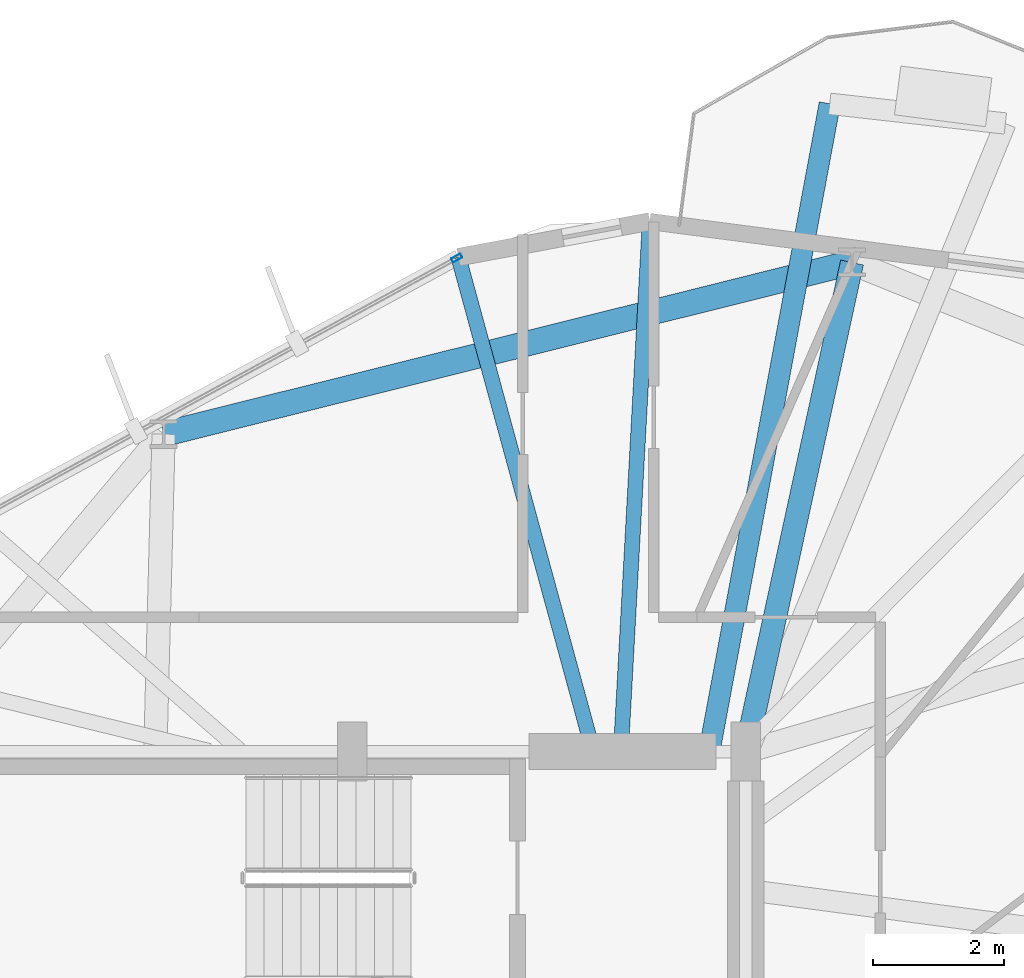
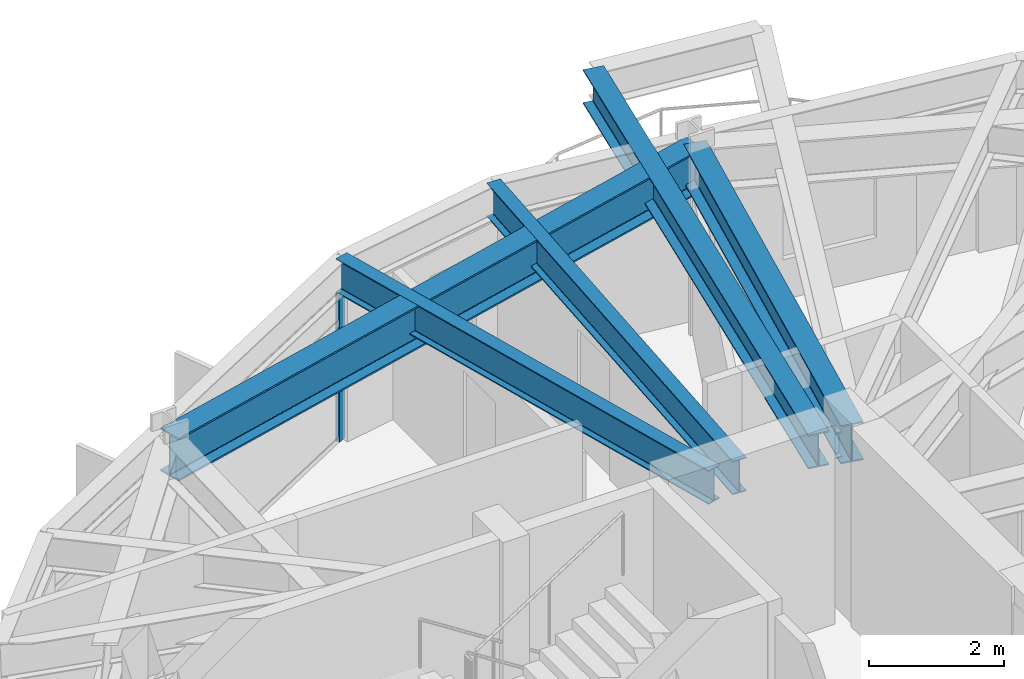
# One storey, part 14 of 23: 5 beams, 1 member, 1 element without a shape of its own.
"""IFC4 building model written with IfcOpenShell, lengths in metres."""

from ifc_helpers import new_model, si_unit, direction, frame, origin, origin_2d, place, context, subcontext, project, spatial, hollow_rectangle, i_section, extrude, material, layer, layer_set, material_profile, profile_set, type_object, element, aggregate, save


model = new_model("IFC4")

# Units and contexts
model_context = context("Model", 3, precision=1e-05, world=origin(), true_north=direction((0.0, 1.0)))
body_context = subcontext(model_context, "Body", "Model", "MODEL_VIEW")
ifc_project = project(units=[si_unit("LENGTHUNIT", "METRE"), si_unit("AREAUNIT", "SQUARE_METRE"), si_unit("VOLUMEUNIT", "CUBIC_METRE"), si_unit("PLANEANGLEUNIT", "RADIAN"), si_unit("MASSUNIT", "GRAM", prefix="KILO")], contexts=[model_context])

# Site, building, storey
site_placement = place(None, origin())
site = spatial("IfcSite", under=ifc_project, at=site_placement, CompositionType="ELEMENT")
building_placement = place(site_placement, origin())
building = spatial("IfcBuilding", under=site, at=building_placement, Name="Soratama Intermodal Tower", CompositionType="ELEMENT")
storey_placement = place(building_placement, frame((0.0, 0.0, 139.0)))
storey = spatial("IfcBuildingStorey", under=building, at=storey_placement, Name="L33", CompositionType="ELEMENT", Elevation=139.0)

# Beams
ifc_material_1 = material(Name="Structural steel ASTM A992 Grade 50", Category="steel")
ifc_material_profile_1 = material_profile(ifc_material_1, i_section(OverallWidth=0.324951171875, OverallDepth=0.615966796875, WebThickness=0.013916015625, FlangeThickness=0.021484375, FilletRadius=0.013916015625, at=origin_2d()), Name="W24X117")
ifc_profile_set_1 = profile_set([ifc_material_profile_1], Name="Structural steel ASTM A992 Grade 50")
beam_type_1 = type_object("IfcBeamType", Name="BM-CANT-W24X117", PredefinedType="BEAM", material=ifc_profile_set_1)
beam_1_placement = place(storey_placement, frame((44.051025390625, 35.0390625, 2.991943359375), z_axis=(0.18288597979, 0.98313413042, 0.0), x_axis=(-0.98313413042, 0.18288597979, 0.0)))
element("IfcBeam", 1, at=beam_1_placement, inside=storey, type_object=beam_type_1, Name="BM-L33-CANT-2-2", PredefinedType="BEAM", context=body_context, shape_type="SweptSolid", body=[
    extrude(i_section(OverallWidth=0.324951171875, OverallDepth=0.615966796875, WebThickness=0.013916015625, FlangeThickness=0.021484375, FilletRadius=0.013916015625, at=origin_2d()), origin(), (0.0, 0.0, 1.0), 10.006591796875),
])
ifc_material_2 = material(Name="Structural steel ASTM A992 Grade 50", Category="steel")
ifc_material_profile_2 = material_profile(ifc_material_2, i_section(OverallWidth=0.35498046875, OverallDepth=0.695068359375, WebThickness=0.015380859375, FlangeThickness=0.02490234375, FilletRadius=0.01611328125, at=origin_2d()), Name="W27X146")
ifc_profile_set_2 = profile_set([ifc_material_profile_2], Name="Structural steel ASTM A992 Grade 50")
beam_type_2 = type_object("IfcBeamType", Name="BM-RING-W27X146", PredefinedType="BEAM", material=ifc_profile_set_2)
beam_2_placement = place(storey_placement, frame((44.60009765625, 35.0, 2.952392578125), z_axis=(0.212399095304, 0.977183004515, 0.0), x_axis=(-0.977183004515, 0.212399095304, 0.0)))
element("IfcBeam", 2, at=beam_2_placement, inside=storey, type_object=beam_type_2, Name="BM-L33-RAD-03", PredefinedType="BEAM", context=body_context, shape_type="SweptSolid", body=[
    extrude(i_section(OverallWidth=0.35498046875, OverallDepth=0.695068359375, WebThickness=0.015380859375, FlangeThickness=0.02490234375, FilletRadius=0.01611328125, at=origin_2d()), origin(), (0.0, 0.0, 1.0), 7.631103515625),
])
ifc_material_3 = material(Name="Structural steel ASTM A992 Grade 50", Category="steel")
ifc_material_profile_3 = material_profile(ifc_material_3, i_section(OverallWidth=0.382080078125, OverallDepth=0.779052734375, WebThickness=0.01806640625, FlangeThickness=0.030029296875, FilletRadius=0.01806640625, at=origin_2d()), Name="W30X191")
ifc_profile_set_3 = profile_set([ifc_material_profile_3], Name="Structural steel ASTM A992 Grade 50")
beam_type_3 = type_object("IfcBeamType", Name="BM-RING-W30X191", PredefinedType="BEAM", material=ifc_profile_set_3)
beam_3_placement = place(storey_placement, frame((46.220947265625, 42.45703125, 2.910400390625), z_axis=(-0.970310893227, -0.241861056155, 0.0), x_axis=(0.241861056155, -0.970310893227, 0.0)))
element("IfcBeam", 3, at=beam_3_placement, inside=storey, type_object=beam_type_3, Name="BM-L33-RING-03", PredefinedType="BEAM", context=body_context, shape_type="SweptSolid", body=[
    extrude(i_section(OverallWidth=0.382080078125, OverallDepth=0.779052734375, WebThickness=0.01806640625, FlangeThickness=0.030029296875, FilletRadius=0.01806640625, at=origin_2d()), origin(), (0.0, 0.0, 1.0), 10.81591796875),
])
ifc_material_4 = material(Name="Structural steel ASTM A992 Grade 50", Category="steel")
ifc_material_profile_4 = material_profile(ifc_material_4, i_section(OverallWidth=0.22900390625, OverallDepth=0.612060546875, WebThickness=0.011962890625, FlangeThickness=0.01953125, FilletRadius=0.012939453125, at=origin_2d()), Name="W24X84")
ifc_profile_set_4 = profile_set([ifc_material_profile_4], Name="Structural steel ASTM A992 Grade 50")
beam_type_4 = type_object("IfcBeamType", Name="BM-TIE-W24X84", PredefinedType="BEAM", material=ifc_profile_set_4)
beam_4_placement = place(storey_placement, frame((42.698974609375, 35.0400390625, 2.993896484375), z_axis=(0.054496360994, 0.998513969175, 0.0), x_axis=(-0.998513969175, 0.054496360994, 0.0)))
element("IfcBeam", 4, at=beam_4_placement, inside=storey, type_object=beam_type_4, Name="BM-L33-TIE1-02", PredefinedType="BEAM", context=body_context, shape_type="SweptSolid", body=[
    extrude(i_section(OverallWidth=0.22900390625, OverallDepth=0.612060546875, WebThickness=0.011962890625, FlangeThickness=0.01953125, FilletRadius=0.012939453125, at=origin_2d()), origin(), (0.0, 0.0, 1.0), 8.054931640625),
])
beam_5_placement = place(storey_placement, frame((42.264892578125, 35.0390625, 2.993896484375), z_axis=(-0.262936691994, 0.964813088636, 0.0), x_axis=(-0.964813088636, -0.262936691994, 0.0)))
element("IfcBeam", 5, at=beam_5_placement, inside=storey, type_object=beam_type_4, Name="BM-L33-TIE0-03", PredefinedType="BEAM", context=body_context, shape_type="SweptSolid", body=[
    extrude(i_section(OverallWidth=0.22900390625, OverallDepth=0.612060546875, WebThickness=0.011962890625, FlangeThickness=0.01953125, FilletRadius=0.012939453125, at=origin_2d()), origin(), (0.0, 0.0, 1.0), 7.7734375),
])

# Curtain wall, member
ifc_material_5 = material(Name="Double-glazed aluminium curtain wall", Category="aluminium")
ifc_layer = layer(ifc_material_5, 0.159912109375)
ifc_layer_set = layer_set([ifc_layer], Name="Double-glazed aluminium curtain wall")
curtain_wall_type = type_object("IfcCurtainWallType", Name="CW-SYS-4", PredefinedType="NOTDEFINED", material=ifc_layer_set)
curtain_wall_placement = place(storey_placement, origin())
curtain_wall = element("IfcCurtainWall", 6, at=curtain_wall_placement, inside=storey, type_object=curtain_wall_type, Name="L33 Faceted Curtain Wall F03", PredefinedType="NOTDEFINED")
ifc_material_6 = material(Name="Anodised aluminium AA 6063-T6", Category="aluminium")
ifc_material_profile_5 = material_profile(ifc_material_6, hollow_rectangle(XDim=0.070068359375, YDim=0.159912109375, WallThickness=0.0048828125, InnerFilletRadius=0.0048828125, OuterFilletRadius=0.010009765625, at=origin_2d()), Name="CWM160X70X5")
ifc_profile_set_5 = profile_set([ifc_material_profile_5], Name="Anodised aluminium AA 6063-T6")
member_type = type_object("IfcMemberType", Name="MT-CWM-4", PredefinedType="MULLION", material=ifc_profile_set_5)
member_placement = place(storey_placement, frame((40.195068359375, 42.525146484375, 0.0), z_axis=(0.0, 0.0, 1.0), x_axis=(0.478083234928, -0.878314533912, 0.0)))
member = element("IfcMember", 7, at=member_placement, type_object=member_type, Name="CW-4 mullion 1", PredefinedType="MULLION", context=body_context, shape_type="SweptSolid", body=[
    extrude(hollow_rectangle(XDim=0.070068359375, YDim=0.159912109375, WallThickness=0.0048828125, InnerFilletRadius=0.0048828125, OuterFilletRadius=0.010009765625, at=origin_2d()), origin(), (0.0, 0.0, 1.0), 2.678955078125),
])
aggregate(curtain_wall, [member])

save(model, "model.ifc")
